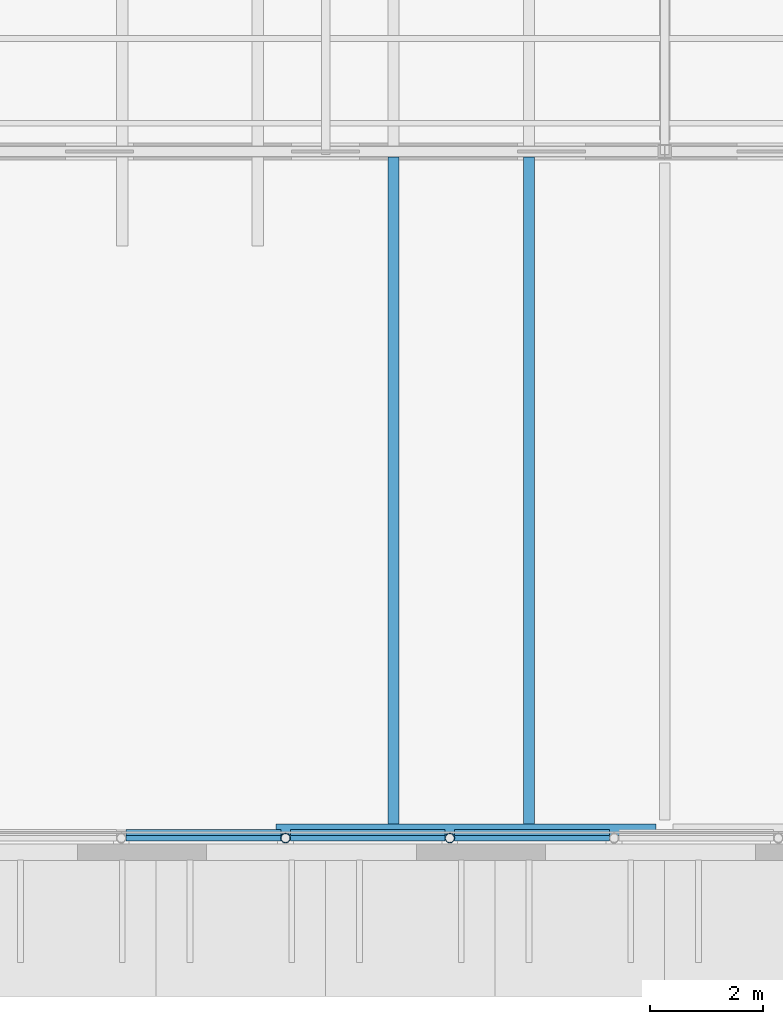
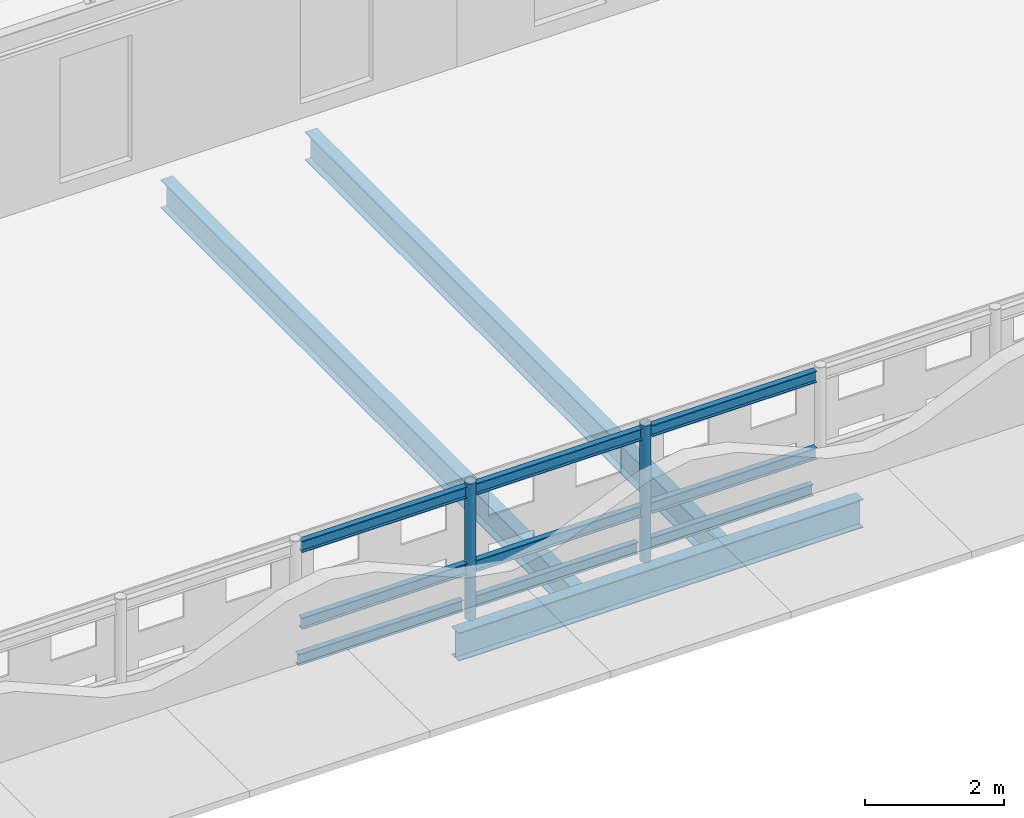
# One storey, part 23 of 91: 11 members, 3 beams.
"""IFC4 building model written with IfcOpenShell, lengths in metres."""

from ifc_helpers import new_model, si_unit, direction, frame, origin, origin_2d, place, context, subcontext, project, spatial, hollow_circle, i_section, extrude, material, material_profile, profile_set, type_object, element, save


model = new_model("IFC4")

# Units and contexts
model_context = context("Model", 3, precision=1e-05, world=origin(), true_north=direction((0.0, 1.0)))
body_context = subcontext(model_context, "Body", "Model", "MODEL_VIEW")
ifc_project = project(units=[si_unit("LENGTHUNIT", "METRE"), si_unit("AREAUNIT", "SQUARE_METRE"), si_unit("VOLUMEUNIT", "CUBIC_METRE"), si_unit("PLANEANGLEUNIT", "RADIAN"), si_unit("MASSUNIT", "GRAM", prefix="KILO")], contexts=[model_context])

# Site, building, storey
site_placement = place(None, origin())
site = spatial("IfcSite", under=ifc_project, at=site_placement, CompositionType="ELEMENT")
building_placement = place(site_placement, origin())
building = spatial("IfcBuilding", under=site, at=building_placement, Name="Ravi Spectrum Wholesale Market", CompositionType="ELEMENT")
storey_placement = place(building_placement, frame((0.0, 0.0, 16.199951171875)))
storey = spatial("IfcBuildingStorey", under=building, at=storey_placement, Name="ROOF PLANT LEVEL", CompositionType="ELEMENT", Elevation=16.199951171875)

# Members
ifc_material_1 = material(Name="Steel S355", Category="steel")
ifc_material_profile_1 = material_profile(ifc_material_1, hollow_circle(Radius=0.084228515625, WallThickness=0.00634765625, at=origin_2d()))
ifc_profile_set_1 = profile_set([ifc_material_profile_1], Name="Steel S355")
member_type_1 = type_object("IfcMemberType", Name="CHS 168.3x6.3 post", PredefinedType="POST", material=ifc_profile_set_1)
for number, where, z_axis, x_axis, name in (
    (1, (215.291259765625, 17.85009765625, 0.0), (0.0, 0.0, 1.0), (1.0, 0.0, 0.0), "CS-MB-ROOF-007"),
    (2, (218.1982421875, 17.85009765625, 0.0), (0.0, 0.0, 1.0), (1.0, 0.0, 0.0), "CS-MB-ROOF-008"),
):
    element("IfcMember", number, at=place(storey_placement, frame(where, z_axis=z_axis, x_axis=x_axis)), inside=storey, type_object=member_type_1, Name=name, PredefinedType="POST", context=body_context, shape_type="SweptSolid", body=[
        extrude(hollow_circle(Radius=0.084228515625, WallThickness=0.00634765625, at=origin_2d()), origin(), (0.0, 0.0, 1.0), 2.400146484375),
    ])
ifc_material_2 = material(Name="Steel S355", Category="steel")
ifc_material_profile_2 = material_profile(ifc_material_2, i_section(OverallWidth=0.10009765625, OverallDepth=0.199951171875, WebThickness=0.005615234375, FlangeThickness=0.008544921875, at=origin_2d()))
ifc_profile_set_2 = profile_set([ifc_material_profile_2], Name="Steel S355")
member_type_2 = type_object("IfcMemberType", Name="IPE 200 purlin", PredefinedType="PURLIN", material=ifc_profile_set_2)
for number, where, z_axis, x_axis, name in (
    (3, (212.46875, 17.85009765625, 0.900146484375), (1.0, 0.0, 0.0), (0.0, 1.0, 0.0), "CS-MB-ROOF-108"),
    (4, (212.46875, 17.85009765625, 2.25), (1.0, 0.0, 0.0), (0.0, 1.0, 0.0), "CS-MB-ROOF-109"),
    (5, (212.46875, 17.94921875, 0.199951171875), (1.0, 0.0, 0.0), (0.0, 1.0, 0.0), "CS-MB-ROOF-110"),
    (6, (215.37548828125, 17.85009765625, 0.900146484375), (1.0, 0.0, 0.0), (0.0, 1.0, 0.0), "CS-MB-ROOF-111"),
    (7, (215.37548828125, 17.85009765625, 2.25), (1.0, 0.0, 0.0), (0.0, 1.0, 0.0), "CS-MB-ROOF-112"),
    (8, (215.37548828125, 17.94921875, 0.199951171875), (1.0, 0.0, 0.0), (0.0, 1.0, 0.0), "CS-MB-ROOF-113"),
    (9, (218.282470703125, 17.85009765625, 0.900146484375), (1.0, 0.0, 0.0), (0.0, 1.0, 0.0), "CS-MB-ROOF-114"),
    (10, (218.282470703125, 17.85009765625, 2.25), (1.0, 0.0, 0.0), (0.0, 1.0, 0.0), "CS-MB-ROOF-115"),
    (11, (218.282470703125, 17.94921875, 0.199951171875), (1.0, 0.0, 0.0), (0.0, 1.0, 0.0), "CS-MB-ROOF-116"),
):
    element("IfcMember", number, at=place(storey_placement, frame(where, z_axis=z_axis, x_axis=x_axis)), inside=storey, type_object=member_type_2, Name=name, PredefinedType="PURLIN", context=body_context, shape_type="SweptSolid", body=[
        extrude(i_section(OverallWidth=0.10009765625, OverallDepth=0.199951171875, WebThickness=0.005615234375, FlangeThickness=0.008544921875, at=origin_2d()), origin(), (0.0, 0.0, 1.0), 2.738525390625),
    ])

# Beams
ifc_material_3 = material(Name="Steel S355", Category="steel")
ifc_material_profile_3 = material_profile(ifc_material_3, i_section(OverallWidth=0.199951171875, OverallDepth=0.5, WebThickness=0.01025390625, FlangeThickness=0.01611328125, at=origin_2d()))
ifc_profile_set_3 = profile_set([ifc_material_profile_3], Name="Steel S355")
beam_type = type_object("IfcBeamType", Name="IPE 500 beam", PredefinedType="BEAM", material=ifc_profile_set_3)
beam_placement = place(storey_placement, frame((215.125, 18.0, -0.5), z_axis=(1.0, 0.0, 0.0), x_axis=(0.0, 1.0, 0.0)))
element("IfcBeam", 12, at=beam_placement, inside=storey, type_object=beam_type, Name="CS-BM-ROOF-002", PredefinedType="BEAM", context=body_context, shape_type="SweptSolid", body=[
    extrude(i_section(OverallWidth=0.199951171875, OverallDepth=0.5, WebThickness=0.01025390625, FlangeThickness=0.01611328125, at=origin_2d()), origin(), (0.0, 0.0, 1.0), 6.72509765625),
])
for number, where, z_axis, x_axis, name in (
    (13, (217.199951171875, 18.10009765625, -0.5), (0.0, 1.0, 0.0), (-1.0, 0.0, 0.0), "CS-BM-ROOF-088"),
    (14, (219.60009765625, 18.10009765625, -0.5), (0.0, 1.0, 0.0), (-1.0, 0.0, 0.0), "CS-BM-ROOF-089"),
):
    element("IfcBeam", number, at=place(storey_placement, frame(where, z_axis=z_axis, x_axis=x_axis)), inside=storey, type_object=beam_type, Name=name, PredefinedType="BEAM", context=body_context, shape_type="SweptSolid", body=[
        extrude(i_section(OverallWidth=0.199951171875, OverallDepth=0.5, WebThickness=0.01025390625, FlangeThickness=0.01611328125, at=origin_2d()), origin(), (0.0, 0.0, 1.0), 11.7998046875),
    ])

save(model, "model.ifc")
